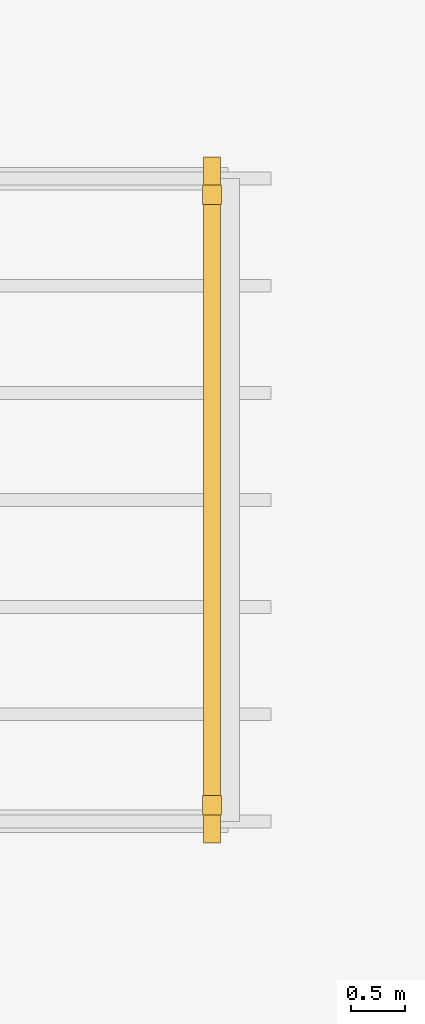
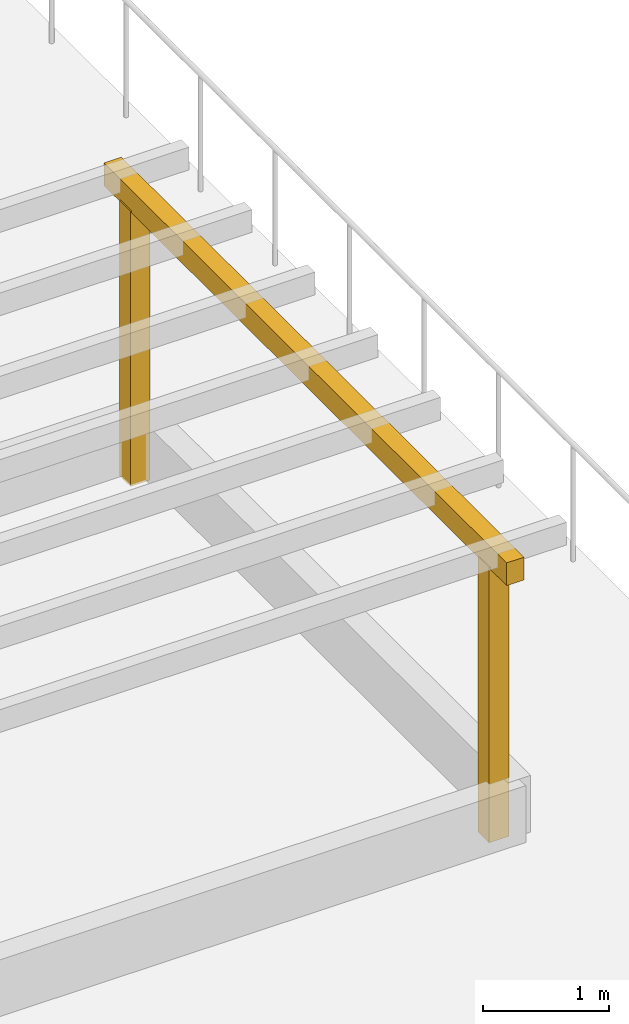
# One storey, part 20 of 20: 3 coverings.
"""IFC4 building model written with IfcOpenShell, lengths in metres."""

from ifc_helpers import new_model, si_unit, direction, frame, origin, origin_2d, place, context, subcontext, project, spatial, rectangle, extrude, material, layer, layer_set, type_object, element, save


model = new_model("IFC4")

# Units and contexts
model_context = context("Model", 3, precision=1e-05, world=origin(), true_north=direction((0.0, 1.0)))
body_context = subcontext(model_context, "Body", "Model", "MODEL_VIEW")
ifc_project = project(units=[si_unit("LENGTHUNIT", "METRE"), si_unit("AREAUNIT", "SQUARE_METRE"), si_unit("VOLUMEUNIT", "CUBIC_METRE"), si_unit("PLANEANGLEUNIT", "RADIAN"), si_unit("MASSUNIT", "GRAM", prefix="KILO")], contexts=[model_context])

# Site, building, storey
site_placement = place(None, origin())
site = spatial("IfcSite", under=ifc_project, at=site_placement, CompositionType="ELEMENT")
building_placement = place(site_placement, origin())
building = spatial("IfcBuilding", under=site, at=building_placement, Name="Tizgana Railside Sports Hall", CompositionType="ELEMENT")
storey_placement = place(building_placement, frame((0.0, 0.0, 19.800048828125)))
storey = spatial("IfcBuildingStorey", under=building, at=storey_placement, Name="L04", CompositionType="ELEMENT", Elevation=19.800048828125)

# Coverings
ifc_material = material(Name="Glulam GL28h", Category="wood")
ifc_layer = layer(ifc_material, 0.139892578125, Name="Glulam GL28h")
ifc_layer_set = layer_set([ifc_layer], Name="Glulam GL28h")
covering_type = type_object("IfcCoveringType", Name="Mass-Timber Brise-Soleil & Pergola Fin", PredefinedType="CLADDING", material=ifc_layer_set)
for number, where, z_axis, x_axis, name in (
    (1, (77.25, 6.64990234375, -0.02001953125), (0.0, 0.0, 1.0), (1.0, 0.0, 0.0), "L04 L04 Terrace Pergola Post"),
    (2, (77.25, 12.35009765625, -0.02001953125), (0.0, 0.0, 1.0), (1.0, 0.0, 0.0), "L04 L04 Terrace Pergola Post"),
):
    element("IfcCovering", number, at=place(storey_placement, frame(where, z_axis=z_axis, x_axis=x_axis)), inside=storey, type_object=covering_type, Name=name, PredefinedType="CLADDING", context=body_context, shape_type="SweptSolid", body=[
        extrude(rectangle(XDim=0.179931640625, YDim=0.179931640625, at=origin_2d()), origin(), (0.0, 0.0, 1.0), 2.669921875),
    ])
covering_placement = place(storey_placement, frame((77.25, 9.5, 2.6298828125), z_axis=(0.0, 0.0, 1.0), x_axis=(1.0, 0.0, 0.0)))
element("IfcCovering", 3, at=covering_placement, inside=storey, type_object=covering_type, Name="L04 L04 Terrace Pergola Beam", PredefinedType="CLADDING", context=body_context, shape_type="SweptSolid", body=[
    extrude(rectangle(XDim=0.159912109375, YDim=6.39990234375, at=origin_2d()), origin(), (0.0, 0.0, 1.0), 0.219970703125),
])

save(model, "model.ifc")
